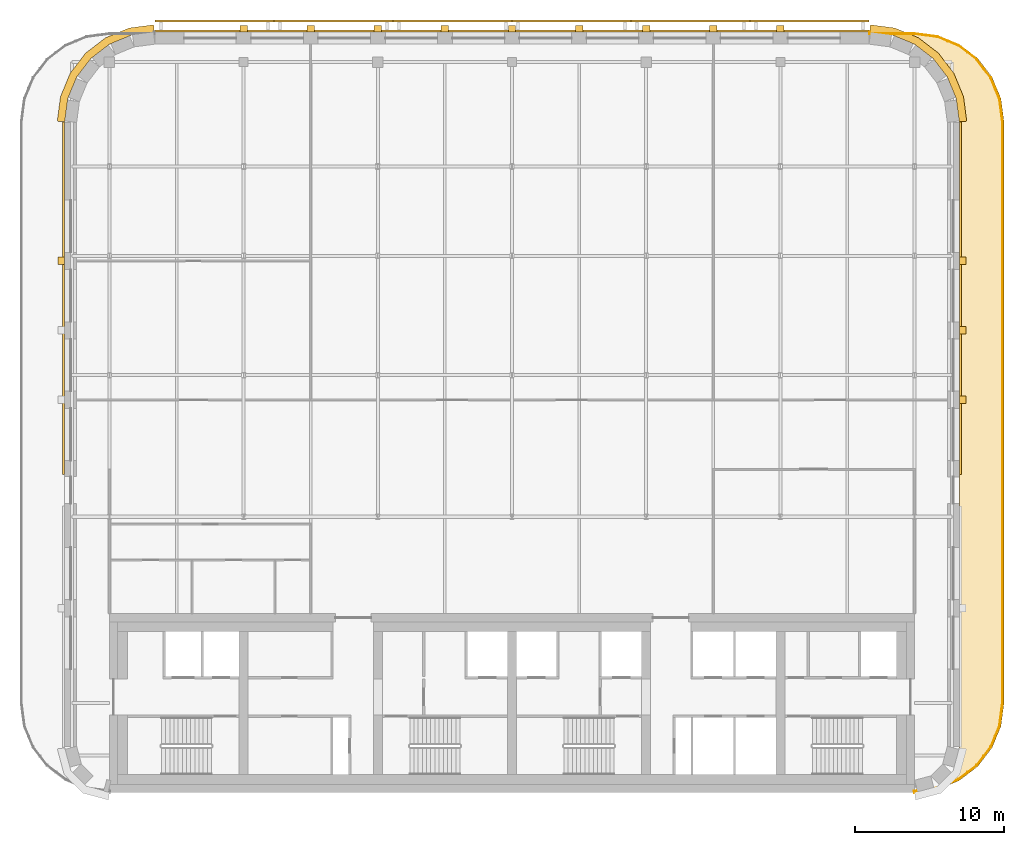
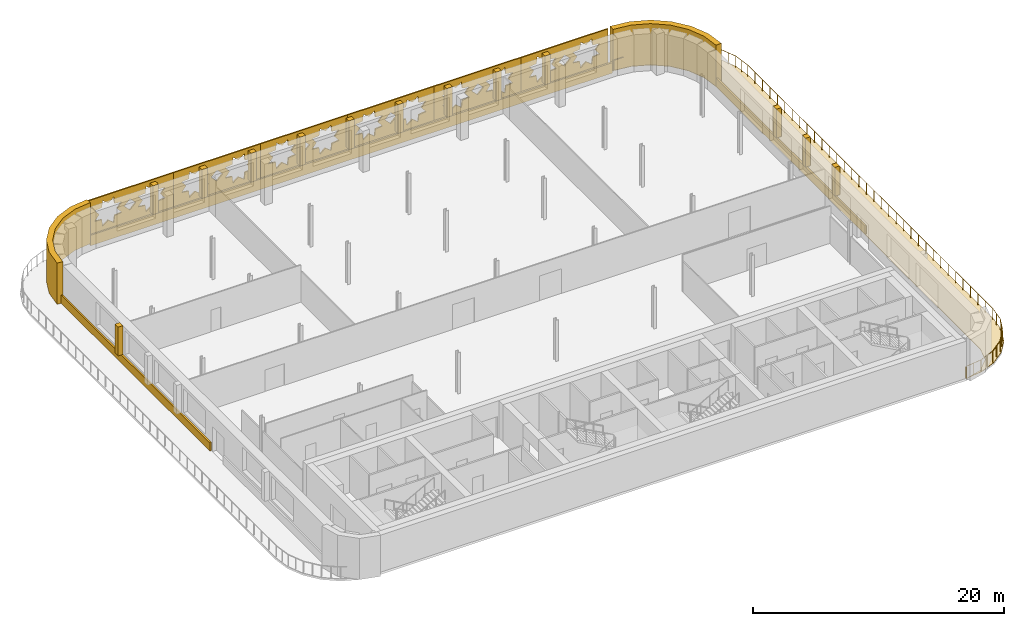
# One storey, part 13 of 13: 25 coverings, 1 railing.
"""IFC4 building model written with IfcOpenShell, lengths in metres."""

from ifc_helpers import new_model, si_unit, direction, frame, origin, origin_2d, place, context, subcontext, project, spatial, polyline, circle, outline, extrude, material, layer, layer_set, type_object, element, save


model = new_model("IFC4")

# Units and contexts
model_context = context("Model", 3, precision=1e-05, world=origin(), true_north=direction((0.0, 1.0)))
body_context = subcontext(model_context, "Body", "Model", "MODEL_VIEW")
ifc_project = project(units=[si_unit("LENGTHUNIT", "METRE"), si_unit("AREAUNIT", "SQUARE_METRE"), si_unit("VOLUMEUNIT", "CUBIC_METRE"), si_unit("PLANEANGLEUNIT", "RADIAN"), si_unit("MASSUNIT", "GRAM", prefix="KILO")], contexts=[model_context])

# Site, building, storey
site_placement = place(None, origin())
site = spatial("IfcSite", under=ifc_project, at=site_placement, CompositionType="ELEMENT")
building_placement = place(site_placement, origin())
building = spatial("IfcBuilding", under=site, at=building_placement, Name="Zellij Exchange Tower", CompositionType="ELEMENT")
storey_placement = place(building_placement, frame((0.0, 0.0, 292.5)))
storey = spatial("IfcBuildingStorey", under=building, at=storey_placement, Name="L69", CompositionType="ELEMENT", Elevation=292.5)

# Coverings
ifc_material_1 = material(Name="Limestone cladding", Category="masonry")
ifc_layer_1 = layer(ifc_material_1, 0.14990234375)
ifc_layer_set_1 = layer_set([ifc_layer_1], Name="Limestone cladding")
covering_type_1 = type_object("IfcCoveringType", Name="ENV-CV1 Stone spandrel band 150", PredefinedType="CLADDING", material=ifc_layer_set_1)
covering_1_placement = place(storey_placement, origin())
element("IfcCovering", 1, at=covering_1_placement, inside=storey, type_object=covering_type_1, Name="Stone spandrel band", PredefinedType="CLADDING", context=body_context, shape_type="SweptSolid", body=[
    extrude(outline(polyline([(30.0, 7.334228515625), (30.0, 30.973876953125), (30.14990234375, 30.983642578125), (30.14990234375, 7.334228515625), (30.0, 7.334228515625)])), origin(), (0.0, 0.0, 1.0), 0.800048828125),
])
covering_2_placement = place(storey_placement, frame((0.0, 0.0, -0.219970703125)))
element("IfcCovering", 2, at=covering_2_placement, inside=storey, type_object=covering_type_1, Name="Stone spandrel band", PredefinedType="CLADDING", context=body_context, shape_type="SweptSolid", body=[
    extrude(outline(polyline([(23.973876953125, 37.0), (-23.973876953125, 37.0), (-23.983642578125, 37.14990234375), (23.983642578125, 37.14990234375), (23.973876953125, 37.0)])), origin(), (0.0, 0.0, 1.0), 1.02001953125),
])
covering_3_placement = place(storey_placement, origin())
element("IfcCovering", 3, at=covering_3_placement, inside=storey, type_object=covering_type_1, Name="Stone spandrel band", PredefinedType="CLADDING", context=body_context, shape_type="SweptSolid", body=[
    extrude(outline(polyline([(-30.0, 30.973876953125), (-30.0, 7.334228515625), (-30.14990234375, 7.334228515625), (-30.14990234375, 30.983642578125), (-30.0, 30.973876953125)])), origin(), (0.0, 0.0, 1.0), 0.800048828125),
])
ifc_layer_2 = layer(ifc_material_1, 0.5)
ifc_layer_set_2 = layer_set([ifc_layer_2], Name="Limestone cladding")
covering_type_2 = type_object("IfcCoveringType", Name="ENV-CV12 Stone corner pier 500", PredefinedType="CLADDING", material=ifc_layer_set_2)
covering_4_placement = place(storey_placement, origin())
element("IfcCovering", 4, at=covering_4_placement, inside=storey, type_object=covering_type_2, Name="Stone corner pier", PredefinedType="CLADDING", context=body_context, shape_type="SweptSolid", body=[
    extrude(outline(polyline([(30.0, 31.0), (29.795654296875, 32.552978515625), (29.1962890625, 34.0), (28.24267578125, 35.24267578125), (27.0, 36.1962890625), (25.552978515625, 36.795654296875), (24.0, 37.0), (24.03271484375, 37.5), (25.683349609375, 37.28271484375), (27.252197265625, 36.6328125), (28.59912109375, 35.59912109375), (29.6328125, 34.252197265625), (30.28271484375, 32.683349609375), (30.5, 31.03271484375), (30.0, 31.0)])), origin(), (0.0, 0.0, 1.0), 4.0),
])
covering_5_placement = place(storey_placement, origin())
element("IfcCovering", 5, at=covering_5_placement, inside=storey, type_object=covering_type_2, Name="Stone corner pier", PredefinedType="CLADDING", context=body_context, shape_type="SweptSolid", body=[
    extrude(outline(polyline([(-24.0, 37.0), (-25.552978515625, 36.795654296875), (-27.0, 36.1962890625), (-28.24267578125, 35.24267578125), (-29.1962890625, 34.0), (-29.795654296875, 32.552978515625), (-30.0, 31.0), (-30.5, 31.03271484375), (-30.28271484375, 32.683349609375), (-29.6328125, 34.252197265625), (-28.59912109375, 35.59912109375), (-27.252197265625, 36.6328125), (-25.683349609375, 37.28271484375), (-24.03271484375, 37.5), (-24.0, 37.0)])), origin(), (0.0, 0.0, 1.0), 4.0),
])
covering_type_3 = type_object("IfcCoveringType", Name="ENV-CV4 Stone pier 500x450", PredefinedType="CLADDING", material=ifc_material_1)
covering_6_placement = place(storey_placement, frame((0.0, 0.0, 0.800048828125)))
element("IfcCovering", 6, at=covering_6_placement, inside=storey, type_object=covering_type_3, Name="Stone pier", PredefinedType="CLADDING", context=body_context, shape_type="SweptSolid", body=[
    extrude(outline(polyline([(30.0, 12.09228515625), (30.0, 12.59228515625), (30.449951171875, 12.59228515625), (30.449951171875, 12.09228515625), (30.0, 12.09228515625)])), origin(), (0.0, 0.0, 1.0), 2.800048828125),
])
covering_7_placement = place(storey_placement, frame((0.0, 0.0, 0.800048828125)))
element("IfcCovering", 7, at=covering_7_placement, inside=storey, type_object=covering_type_3, Name="Stone pier", PredefinedType="CLADDING", context=body_context, shape_type="SweptSolid", body=[
    extrude(outline(polyline([(30.0, 16.75), (30.0, 17.25), (30.449951171875, 17.25), (30.449951171875, 16.75), (30.0, 16.75)])), origin(), (0.0, 0.0, 1.0), 2.800048828125),
])
covering_8_placement = place(storey_placement, frame((0.0, 0.0, 0.800048828125)))
element("IfcCovering", 8, at=covering_8_placement, inside=storey, type_object=covering_type_3, Name="Stone pier", PredefinedType="CLADDING", context=body_context, shape_type="SweptSolid", body=[
    extrude(outline(polyline([(30.0, 21.407958984375), (30.0, 21.907958984375), (30.449951171875, 21.907958984375), (30.449951171875, 21.407958984375), (30.0, 21.407958984375)])), origin(), (0.0, 0.0, 1.0), 2.800048828125),
])
covering_9_placement = place(storey_placement, frame((0.0, 0.0, 0.800048828125)))
element("IfcCovering", 9, at=covering_9_placement, inside=storey, type_object=covering_type_3, Name="Stone pier", PredefinedType="CLADDING", context=body_context, shape_type="SweptSolid", body=[
    extrude(outline(polyline([(18.25, 37.0), (17.75, 37.0), (17.75, 37.449951171875), (18.25, 37.449951171875), (18.25, 37.0)])), origin(), (0.0, 0.0, 1.0), 2.800048828125),
])
covering_10_placement = place(storey_placement, frame((0.0, 0.0, 0.800048828125)))
element("IfcCovering", 10, at=covering_10_placement, inside=storey, type_object=covering_type_3, Name="Stone pier", PredefinedType="CLADDING", context=body_context, shape_type="SweptSolid", body=[
    extrude(outline(polyline([(13.75, 37.0), (13.25, 37.0), (13.25, 37.449951171875), (13.75, 37.449951171875), (13.75, 37.0)])), origin(), (0.0, 0.0, 1.0), 2.800048828125),
])
covering_11_placement = place(storey_placement, frame((0.0, 0.0, 0.800048828125)))
element("IfcCovering", 11, at=covering_11_placement, inside=storey, type_object=covering_type_3, Name="Stone pier", PredefinedType="CLADDING", context=body_context, shape_type="SweptSolid", body=[
    extrude(outline(polyline([(9.25, 37.0), (8.75, 37.0), (8.75, 37.449951171875), (9.25, 37.449951171875), (9.25, 37.0)])), origin(), (0.0, 0.0, 1.0), 2.800048828125),
])
covering_12_placement = place(storey_placement, frame((0.0, 0.0, 0.800048828125)))
element("IfcCovering", 12, at=covering_12_placement, inside=storey, type_object=covering_type_3, Name="Stone pier", PredefinedType="CLADDING", context=body_context, shape_type="SweptSolid", body=[
    extrude(outline(polyline([(4.75, 37.0), (4.25, 37.0), (4.25, 37.449951171875), (4.75, 37.449951171875), (4.75, 37.0)])), origin(), (0.0, 0.0, 1.0), 2.800048828125),
])
covering_13_placement = place(storey_placement, frame((0.0, 0.0, 0.800048828125)))
element("IfcCovering", 13, at=covering_13_placement, inside=storey, type_object=covering_type_3, Name="Stone pier", PredefinedType="CLADDING", context=body_context, shape_type="SweptSolid", body=[
    extrude(outline(polyline([(0.25, 37.0), (-0.25, 37.0), (-0.25, 37.449951171875), (0.25, 37.449951171875), (0.25, 37.0)])), origin(), (0.0, 0.0, 1.0), 2.800048828125),
])
covering_14_placement = place(storey_placement, frame((0.0, 0.0, 0.800048828125)))
element("IfcCovering", 14, at=covering_14_placement, inside=storey, type_object=covering_type_3, Name="Stone pier", PredefinedType="CLADDING", context=body_context, shape_type="SweptSolid", body=[
    extrude(outline(polyline([(-4.25, 37.0), (-4.75, 37.0), (-4.75, 37.449951171875), (-4.25, 37.449951171875), (-4.25, 37.0)])), origin(), (0.0, 0.0, 1.0), 2.800048828125),
])
covering_15_placement = place(storey_placement, frame((0.0, 0.0, 0.800048828125)))
element("IfcCovering", 15, at=covering_15_placement, inside=storey, type_object=covering_type_3, Name="Stone pier", PredefinedType="CLADDING", context=body_context, shape_type="SweptSolid", body=[
    extrude(outline(polyline([(-8.75, 37.0), (-9.25, 37.0), (-9.25, 37.449951171875), (-8.75, 37.449951171875), (-8.75, 37.0)])), origin(), (0.0, 0.0, 1.0), 2.800048828125),
])
covering_16_placement = place(storey_placement, frame((0.0, 0.0, 0.800048828125)))
element("IfcCovering", 16, at=covering_16_placement, inside=storey, type_object=covering_type_3, Name="Stone pier", PredefinedType="CLADDING", context=body_context, shape_type="SweptSolid", body=[
    extrude(outline(polyline([(-13.25, 37.0), (-13.75, 37.0), (-13.75, 37.449951171875), (-13.25, 37.449951171875), (-13.25, 37.0)])), origin(), (0.0, 0.0, 1.0), 2.800048828125),
])
covering_17_placement = place(storey_placement, frame((0.0, 0.0, 0.800048828125)))
element("IfcCovering", 17, at=covering_17_placement, inside=storey, type_object=covering_type_3, Name="Stone pier", PredefinedType="CLADDING", context=body_context, shape_type="SweptSolid", body=[
    extrude(outline(polyline([(-17.75, 37.0), (-18.25, 37.0), (-18.25, 37.449951171875), (-17.75, 37.449951171875), (-17.75, 37.0)])), origin(), (0.0, 0.0, 1.0), 2.800048828125),
])
covering_18_placement = place(storey_placement, frame((0.0, 0.0, 0.800048828125)))
element("IfcCovering", 18, at=covering_18_placement, inside=storey, type_object=covering_type_3, Name="Stone pier", PredefinedType="CLADDING", context=body_context, shape_type="SweptSolid", body=[
    extrude(outline(polyline([(-30.0, 21.907958984375), (-30.0, 21.407958984375), (-30.449951171875, 21.407958984375), (-30.449951171875, 21.907958984375), (-30.0, 21.907958984375)])), origin(), (0.0, 0.0, 1.0), 2.800048828125),
])

# Railing
ifc_material_2 = material(Name="Bronze-finished aluminium", Category="aluminium")
railing_type = type_object("IfcRailingType", Name="ENV-GR1 Terrace guard", PredefinedType="GUARDRAIL", material=ifc_material_2)
railing_placement = place(storey_placement, frame((27.000732421875, -14.0, 0.0)))
element("IfcRailing", 19, at=railing_placement, inside=storey, type_object=railing_type, Name="Terrace guard", PredefinedType="GUARDRAIL", context=body_context, shape_type="SweptSolid", body=[
    extrude(circle(Radius=0.02490234375, at=origin_2d()), frame((0.0, 0.0, 1.0751953125), z_axis=(-0.129443595313, 0.991586786738, 0.0), x_axis=(-0.991586786738, -0.129443595313, 0.0)), (0.0, 0.0, 1.0), 0.099853515625),
    extrude(circle(Radius=0.02490234375, at=origin_2d()), frame((-0.012939453125, 0.09912109375, 1.0751953125), z_axis=(0.991443586136, 0.130535878251, 0.0), x_axis=(-0.130535878251, 0.991443586136, 0.0)), (0.0, 0.0, 1.0), 1.55224609375),
    extrude(circle(Radius=0.02490234375, at=origin_2d()), frame((1.526123046875, 0.3017578125, 1.0751953125), z_axis=(0.923881586142, 0.382678474425, 0.0), x_axis=(-0.382678474425, 0.923881586142, 0.0)), (0.0, 0.0, 1.0), 1.5400390625),
    extrude(circle(Radius=0.02490234375, at=origin_2d()), frame((2.948974609375, 0.89111328125, 1.0751953125), z_axis=(0.793330694412, 0.608790940556, 0.0), x_axis=(-0.608790940556, 0.793330694412, 0.0)), (0.0, 0.0, 1.0), 1.5400390625),
    extrude(circle(Radius=0.02490234375, at=origin_2d()), frame((4.170654296875, 1.82861328125, 1.0751953125), z_axis=(0.608790940556, 0.793330694412, 0.0), x_axis=(-0.793330694412, 0.608790940556, 0.0)), (0.0, 0.0, 1.0), 1.5400390625),
    extrude(circle(Radius=0.02490234375, at=origin_2d()), frame((5.108154296875, 3.05029296875, 1.0751953125), z_axis=(0.382678474425, 0.923881586142, 0.0), x_axis=(-0.923881586142, 0.382678474425, 0.0)), (0.0, 0.0, 1.0), 1.5400390625),
    extrude(circle(Radius=0.02490234375, at=origin_2d()), frame((5.697509765625, 4.47314453125, 1.0751953125), z_axis=(0.130385096405, 0.991463426777, 0.0), x_axis=(-0.991463426777, 0.130385096405, 0.0)), (0.0, 0.0, 1.0), 1.546630859375),
    extrude(circle(Radius=0.02490234375, at=origin_2d()), frame((5.899169921875, 6.006591796875, 1.0751953125), z_axis=(0.0, 1.0, 0.0), x_axis=(-1.0, 0.0, 0.0)), (0.0, 0.0, 1.0), 38.98681640625),
    extrude(circle(Radius=0.02490234375, at=origin_2d()), frame((5.899169921875, 44.993408203125, 1.0751953125), z_axis=(-0.130385096405, 0.991463426777, 0.0), x_axis=(-0.991463426777, -0.130385096405, 0.0)), (0.0, 0.0, 1.0), 1.546630859375),
    extrude(circle(Radius=0.02490234375, at=origin_2d()), frame((5.697509765625, 46.52685546875, 1.0751953125), z_axis=(-0.382678474425, 0.923881586142, 0.0), x_axis=(-0.923881586142, -0.382678474425, 0.0)), (0.0, 0.0, 1.0), 1.5400390625),
    extrude(circle(Radius=0.02490234375, at=origin_2d()), frame((5.108154296875, 47.94970703125, 1.0751953125), z_axis=(-0.608790940556, 0.793330694412, 0.0), x_axis=(-0.793330694412, -0.608790940556, 0.0)), (0.0, 0.0, 1.0), 1.5400390625),
    extrude(circle(Radius=0.02490234375, at=origin_2d()), frame((4.170654296875, 49.17138671875, 1.0751953125), z_axis=(-0.793330694412, 0.608790940556, 0.0), x_axis=(-0.608790940556, -0.793330694412, 0.0)), (0.0, 0.0, 1.0), 1.5400390625),
    extrude(circle(Radius=0.02490234375, at=origin_2d()), frame((2.948974609375, 50.10888671875, 1.0751953125), z_axis=(-0.923881586142, 0.382678474425, 0.0), x_axis=(-0.382678474425, -0.923881586142, 0.0)), (0.0, 0.0, 1.0), 1.5400390625),
    extrude(circle(Radius=0.02490234375, at=origin_2d()), frame((1.526123046875, 50.6982421875, 1.0751953125), z_axis=(-0.991463426777, 0.130385096405, 0.0), x_axis=(-0.130385096405, -0.991463426777, 0.0)), (0.0, 0.0, 1.0), 1.546630859375),
    extrude(circle(Radius=0.02490234375, at=origin_2d()), frame((-0.00732421875, 50.89990234375, 1.0751953125), z_axis=(-1.0, 0.0, 0.0), x_axis=(0.0, -1.0, 0.0)), (0.0, 0.0, 1.0), 2.99267578125),
    extrude(circle(Radius=0.02490234375, at=origin_2d()), frame((-3.0, 50.89990234375, 1.0751953125), z_axis=(0.0, 1.0, 0.0), x_axis=(-1.0, 0.0, 0.0)), (0.0, 0.0, 1.0), 0.10009765625),
    extrude(circle(Radius=0.030029296875, at=origin_2d()), origin(), (0.0, 0.0, 1.0), 1.050048828125),
    extrude(circle(Radius=0.030029296875, at=origin_2d()), frame((-0.012939453125, 0.09912109375, 0.0)), (0.0, 0.0, 1.0), 1.050048828125),
    extrude(circle(Radius=0.030029296875, at=origin_2d()), frame((0.756591796875, 0.200439453125, 0.0)), (0.0, 0.0, 1.0), 1.050048828125),
    extrude(circle(Radius=0.030029296875, at=origin_2d()), frame((1.526123046875, 0.3017578125, 0.0)), (0.0, 0.0, 1.0), 1.050048828125),
    extrude(circle(Radius=0.030029296875, at=origin_2d()), frame((2.237548828125, 0.596435546875, 0.0)), (0.0, 0.0, 1.0), 1.050048828125),
    extrude(circle(Radius=0.030029296875, at=origin_2d()), frame((2.948974609375, 0.89111328125, 0.0)), (0.0, 0.0, 1.0), 1.050048828125),
    extrude(circle(Radius=0.030029296875, at=origin_2d()), frame((3.559814453125, 1.35986328125, 0.0)), (0.0, 0.0, 1.0), 1.050048828125),
    extrude(circle(Radius=0.030029296875, at=origin_2d()), frame((4.170654296875, 1.82861328125, 0.0)), (0.0, 0.0, 1.0), 1.050048828125),
    extrude(circle(Radius=0.030029296875, at=origin_2d()), frame((4.639404296875, 2.439453125, 0.0)), (0.0, 0.0, 1.0), 1.050048828125),
    extrude(circle(Radius=0.030029296875, at=origin_2d()), frame((5.108154296875, 3.05029296875, 0.0)), (0.0, 0.0, 1.0), 1.050048828125),
    extrude(circle(Radius=0.030029296875, at=origin_2d()), frame((5.40283203125, 3.76171875, 0.0)), (0.0, 0.0, 1.0), 1.050048828125),
    extrude(circle(Radius=0.030029296875, at=origin_2d()), frame((5.697509765625, 4.47314453125, 0.0)), (0.0, 0.0, 1.0), 1.050048828125),
    extrude(circle(Radius=0.030029296875, at=origin_2d()), frame((5.79833984375, 5.23974609375, 0.0)), (0.0, 0.0, 1.0), 1.050048828125),
    extrude(circle(Radius=0.030029296875, at=origin_2d()), frame((5.899169921875, 6.006591796875, 0.0)), (0.0, 0.0, 1.0), 1.050048828125),
    extrude(circle(Radius=0.030029296875, at=origin_2d()), frame((5.899169921875, 7.18798828125, 0.0)), (0.0, 0.0, 1.0), 1.050048828125),
    extrude(circle(Radius=0.030029296875, at=origin_2d()), frame((5.899169921875, 8.369384765625, 0.0)), (0.0, 0.0, 1.0), 1.050048828125),
    extrude(circle(Radius=0.030029296875, at=origin_2d()), frame((5.899169921875, 9.55078125, 0.0)), (0.0, 0.0, 1.0), 1.050048828125),
    extrude(circle(Radius=0.030029296875, at=origin_2d()), frame((5.899169921875, 10.732177734375, 0.0)), (0.0, 0.0, 1.0), 1.050048828125),
    extrude(circle(Radius=0.030029296875, at=origin_2d()), frame((5.899169921875, 11.91357421875, 0.0)), (0.0, 0.0, 1.0), 1.050048828125),
    extrude(circle(Radius=0.030029296875, at=origin_2d()), frame((5.899169921875, 13.09521484375, 0.0)), (0.0, 0.0, 1.0), 1.050048828125),
    extrude(circle(Radius=0.030029296875, at=origin_2d()), frame((5.899169921875, 14.276611328125, 0.0)), (0.0, 0.0, 1.0), 1.050048828125),
    extrude(circle(Radius=0.030029296875, at=origin_2d()), frame((5.899169921875, 15.4580078125, 0.0)), (0.0, 0.0, 1.0), 1.050048828125),
    extrude(circle(Radius=0.030029296875, at=origin_2d()), frame((5.899169921875, 16.639404296875, 0.0)), (0.0, 0.0, 1.0), 1.050048828125),
    extrude(circle(Radius=0.030029296875, at=origin_2d()), frame((5.899169921875, 17.82080078125, 0.0)), (0.0, 0.0, 1.0), 1.050048828125),
    extrude(circle(Radius=0.030029296875, at=origin_2d()), frame((5.899169921875, 19.002197265625, 0.0)), (0.0, 0.0, 1.0), 1.050048828125),
    extrude(circle(Radius=0.030029296875, at=origin_2d()), frame((5.899169921875, 20.18359375, 0.0)), (0.0, 0.0, 1.0), 1.050048828125),
    extrude(circle(Radius=0.030029296875, at=origin_2d()), frame((5.899169921875, 21.364990234375, 0.0)), (0.0, 0.0, 1.0), 1.050048828125),
    extrude(circle(Radius=0.030029296875, at=origin_2d()), frame((5.899169921875, 22.54638671875, 0.0)), (0.0, 0.0, 1.0), 1.050048828125),
    extrude(circle(Radius=0.030029296875, at=origin_2d()), frame((5.899169921875, 23.727783203125, 0.0)), (0.0, 0.0, 1.0), 1.050048828125),
    extrude(circle(Radius=0.030029296875, at=origin_2d()), frame((5.899169921875, 24.9091796875, 0.0)), (0.0, 0.0, 1.0), 1.050048828125),
    extrude(circle(Radius=0.030029296875, at=origin_2d()), frame((5.899169921875, 26.0908203125, 0.0)), (0.0, 0.0, 1.0), 1.050048828125),
    extrude(circle(Radius=0.030029296875, at=origin_2d()), frame((5.899169921875, 27.272216796875, 0.0)), (0.0, 0.0, 1.0), 1.050048828125),
    extrude(circle(Radius=0.030029296875, at=origin_2d()), frame((5.899169921875, 28.45361328125, 0.0)), (0.0, 0.0, 1.0), 1.050048828125),
    extrude(circle(Radius=0.030029296875, at=origin_2d()), frame((5.899169921875, 29.635009765625, 0.0)), (0.0, 0.0, 1.0), 1.050048828125),
    extrude(circle(Radius=0.030029296875, at=origin_2d()), frame((5.899169921875, 30.81640625, 0.0)), (0.0, 0.0, 1.0), 1.050048828125),
    extrude(circle(Radius=0.030029296875, at=origin_2d()), frame((5.899169921875, 31.997802734375, 0.0)), (0.0, 0.0, 1.0), 1.050048828125),
    extrude(circle(Radius=0.030029296875, at=origin_2d()), frame((5.899169921875, 33.17919921875, 0.0)), (0.0, 0.0, 1.0), 1.050048828125),
    extrude(circle(Radius=0.030029296875, at=origin_2d()), frame((5.899169921875, 34.360595703125, 0.0)), (0.0, 0.0, 1.0), 1.050048828125),
    extrude(circle(Radius=0.030029296875, at=origin_2d()), frame((5.899169921875, 35.5419921875, 0.0)), (0.0, 0.0, 1.0), 1.050048828125),
    extrude(circle(Radius=0.030029296875, at=origin_2d()), frame((5.899169921875, 36.723388671875, 0.0)), (0.0, 0.0, 1.0), 1.050048828125),
    extrude(circle(Radius=0.030029296875, at=origin_2d()), frame((5.899169921875, 37.90478515625, 0.0)), (0.0, 0.0, 1.0), 1.050048828125),
    extrude(circle(Radius=0.030029296875, at=origin_2d()), frame((5.899169921875, 39.08642578125, 0.0)), (0.0, 0.0, 1.0), 1.050048828125),
    extrude(circle(Radius=0.030029296875, at=origin_2d()), frame((5.899169921875, 40.267822265625, 0.0)), (0.0, 0.0, 1.0), 1.050048828125),
    extrude(circle(Radius=0.030029296875, at=origin_2d()), frame((5.899169921875, 41.44921875, 0.0)), (0.0, 0.0, 1.0), 1.050048828125),
    extrude(circle(Radius=0.030029296875, at=origin_2d()), frame((5.899169921875, 42.630615234375, 0.0)), (0.0, 0.0, 1.0), 1.050048828125),
    extrude(circle(Radius=0.030029296875, at=origin_2d()), frame((5.899169921875, 43.81201171875, 0.0)), (0.0, 0.0, 1.0), 1.050048828125),
    extrude(circle(Radius=0.030029296875, at=origin_2d()), frame((5.899169921875, 44.993408203125, 0.0)), (0.0, 0.0, 1.0), 1.050048828125),
    extrude(circle(Radius=0.030029296875, at=origin_2d()), frame((5.79833984375, 45.76025390625, 0.0)), (0.0, 0.0, 1.0), 1.050048828125),
    extrude(circle(Radius=0.030029296875, at=origin_2d()), frame((5.697509765625, 46.52685546875, 0.0)), (0.0, 0.0, 1.0), 1.050048828125),
    extrude(circle(Radius=0.030029296875, at=origin_2d()), frame((5.40283203125, 47.23828125, 0.0)), (0.0, 0.0, 1.0), 1.050048828125),
    extrude(circle(Radius=0.030029296875, at=origin_2d()), frame((5.108154296875, 47.94970703125, 0.0)), (0.0, 0.0, 1.0), 1.050048828125),
    extrude(circle(Radius=0.030029296875, at=origin_2d()), frame((4.639404296875, 48.560546875, 0.0)), (0.0, 0.0, 1.0), 1.050048828125),
    extrude(circle(Radius=0.030029296875, at=origin_2d()), frame((4.170654296875, 49.17138671875, 0.0)), (0.0, 0.0, 1.0), 1.050048828125),
    extrude(circle(Radius=0.030029296875, at=origin_2d()), frame((3.559814453125, 49.64013671875, 0.0)), (0.0, 0.0, 1.0), 1.050048828125),
    extrude(circle(Radius=0.030029296875, at=origin_2d()), frame((2.948974609375, 50.10888671875, 0.0)), (0.0, 0.0, 1.0), 1.050048828125),
    extrude(circle(Radius=0.030029296875, at=origin_2d()), frame((2.237548828125, 50.403564453125, 0.0)), (0.0, 0.0, 1.0), 1.050048828125),
    extrude(circle(Radius=0.030029296875, at=origin_2d()), frame((1.526123046875, 50.6982421875, 0.0)), (0.0, 0.0, 1.0), 1.050048828125),
    extrude(circle(Radius=0.030029296875, at=origin_2d()), frame((0.75927734375, 50.799072265625, 0.0)), (0.0, 0.0, 1.0), 1.050048828125),
    extrude(circle(Radius=0.030029296875, at=origin_2d()), frame((-0.00732421875, 50.89990234375, 0.0)), (0.0, 0.0, 1.0), 1.050048828125),
    extrude(circle(Radius=0.030029296875, at=origin_2d()), frame((-1.0048828125, 50.89990234375, 0.0)), (0.0, 0.0, 1.0), 1.050048828125),
    extrude(circle(Radius=0.030029296875, at=origin_2d()), frame((-2.00244140625, 50.89990234375, 0.0)), (0.0, 0.0, 1.0), 1.050048828125),
    extrude(circle(Radius=0.030029296875, at=origin_2d()), frame((-3.0, 50.89990234375, 0.0)), (0.0, 0.0, 1.0), 1.050048828125),
    extrude(circle(Radius=0.030029296875, at=origin_2d()), frame((-3.0, 51.0, 0.0)), (0.0, 0.0, 1.0), 1.050048828125),
])

# Coverings
ifc_material_3 = material(Name="Limestone paving", Category="masonry")
ifc_layer_3 = layer(ifc_material_3, 0.0400390625)
ifc_layer_set_3 = layer_set([ifc_layer_3], Name="Limestone paving")
covering_type_4 = type_object("IfcCoveringType", Name="ENV-PV2 Terrace paving 40", PredefinedType="FLOORING", material=ifc_layer_set_3)
covering_19_placement = place(storey_placement, frame((0.0, 0.0, -0.0400390625)))
element("IfcCovering", 20, at=covering_19_placement, inside=storey, type_object=covering_type_4, Name="Terrace paving", PredefinedType="FLOORING", context=body_context, shape_type="SweptSolid", body=[
    extrude(outline(polyline([(28.5, -13.59814453125), (27.0, -14.0), (28.552978515625, -13.795654296875), (30.0, -13.1962890625), (31.24267578125, -12.24267578125), (32.1962890625, -11.0), (32.795654296875, -9.552978515625), (33.0, -8.0), (33.0, 31.0), (32.795654296875, 32.552978515625), (32.1962890625, 34.0), (31.24267578125, 35.24267578125), (30.0, 36.1962890625), (28.552978515625, 36.795654296875), (27.0, 37.0), (24.0, 37.0), (25.552978515625, 36.795654296875), (27.0, 36.1962890625), (28.24267578125, 35.24267578125), (29.1962890625, 34.0), (29.795654296875, 32.552978515625), (30.0, 31.0), (30.0, -11.0), (29.59814453125, -12.5), (28.5, -13.59814453125)])), origin(), (0.0, 0.0, 1.0), 0.0400390625),
])
ifc_material_4 = material(Name="Limestone screen", Category="masonry")
ifc_layer_4 = layer(ifc_material_4, 0.1201171875)
ifc_layer_set_4 = layer_set([ifc_layer_4], Name="Limestone screen")
covering_type_5 = type_object("IfcCoveringType", Name="ENV-SC1 Pierced stone screen 120", PredefinedType="USERDEFINED", material=ifc_layer_set_4)
for number, where, z_axis, x_axis, name in (
    (21, (23.947509765625, 37.760009765625, 0.300048828125), (0.0, 0.0, 1.0), (-1.0, 0.0, 0.0), "Pierced stone screen"),
    (22, (15.965087890625, 37.760009765625, 0.300048828125), (0.0, 0.0, 1.0), (-1.0, 0.0, 0.0), "Pierced stone screen"),
    (23, (7.982421875, 37.760009765625, 0.300048828125), (0.0, 0.0, 1.0), (-1.0, 0.0, 0.0), "Pierced stone screen"),
    (24, (0.0, 37.760009765625, 0.300048828125), (0.0, 0.0, 1.0), (-1.0, 0.0, 0.0), "Pierced stone screen"),
    (25, (-7.982421875, 37.760009765625, 0.300048828125), (0.0, 0.0, 1.0), (-1.0, 0.0, 0.0), "Pierced stone screen"),
    (26, (-15.965087890625, 37.760009765625, 0.300048828125), (0.0, 0.0, 1.0), (-1.0, 0.0, 0.0), "Pierced stone screen"),
):
    element("IfcCovering", number, at=place(storey_placement, frame(where, z_axis=z_axis, x_axis=x_axis)), inside=storey, type_object=covering_type_5, Name=name, ObjectType="SCREEN", PredefinedType="USERDEFINED", context=body_context, shape_type="SweptSolid", body=[
        extrude(outline(polyline([(0.0, 0.0), (7.982421875, 0.0), (7.982421875, 3.35009765625), (0.0, 3.35009765625), (0.0, 0.0)]), holes=[polyline([(3.233642578125, 2.187744140625), (2.5830078125, 2.262451171875), (2.50830078125, 2.9130859375), (1.99560546875, 2.505859375), (1.48291015625, 2.9130859375), (1.408203125, 2.262451171875), (0.757568359375, 2.187744140625), (1.164794921875, 1.675048828125), (0.757568359375, 1.162109375), (1.408203125, 1.08740234375), (1.48291015625, 0.43701171875), (1.99560546875, 0.84423828125), (2.50830078125, 0.43701171875), (2.5830078125, 1.08740234375), (3.233642578125, 1.162109375), (2.826416015625, 1.675048828125), (3.233642578125, 2.187744140625)]), polyline([(7.224853515625, 2.187744140625), (6.574462890625, 2.262451171875), (6.499755859375, 2.9130859375), (5.98681640625, 2.505859375), (5.47412109375, 2.9130859375), (5.3994140625, 2.262451171875), (4.748779296875, 2.187744140625), (5.156005859375, 1.675048828125), (4.748779296875, 1.162109375), (5.3994140625, 1.08740234375), (5.47412109375, 0.43701171875), (5.98681640625, 0.84423828125), (6.499755859375, 0.43701171875), (6.574462890625, 1.08740234375), (7.224853515625, 1.162109375), (6.817626953125, 1.675048828125), (7.224853515625, 2.187744140625)]), polyline([(4.52734375, 1.675048828125), (3.9912109375, 2.2109375), (3.455322265625, 1.675048828125), (3.9912109375, 1.138916015625), (4.52734375, 1.675048828125)])]), frame((0.0, 0.06005859375, 0.0), z_axis=(0.0, -1.0, 0.0), x_axis=(1.0, 0.0, 0.0)), (0.0, 0.0, 1.0), 0.1201171875),
    ])

save(model, "model.ifc")
